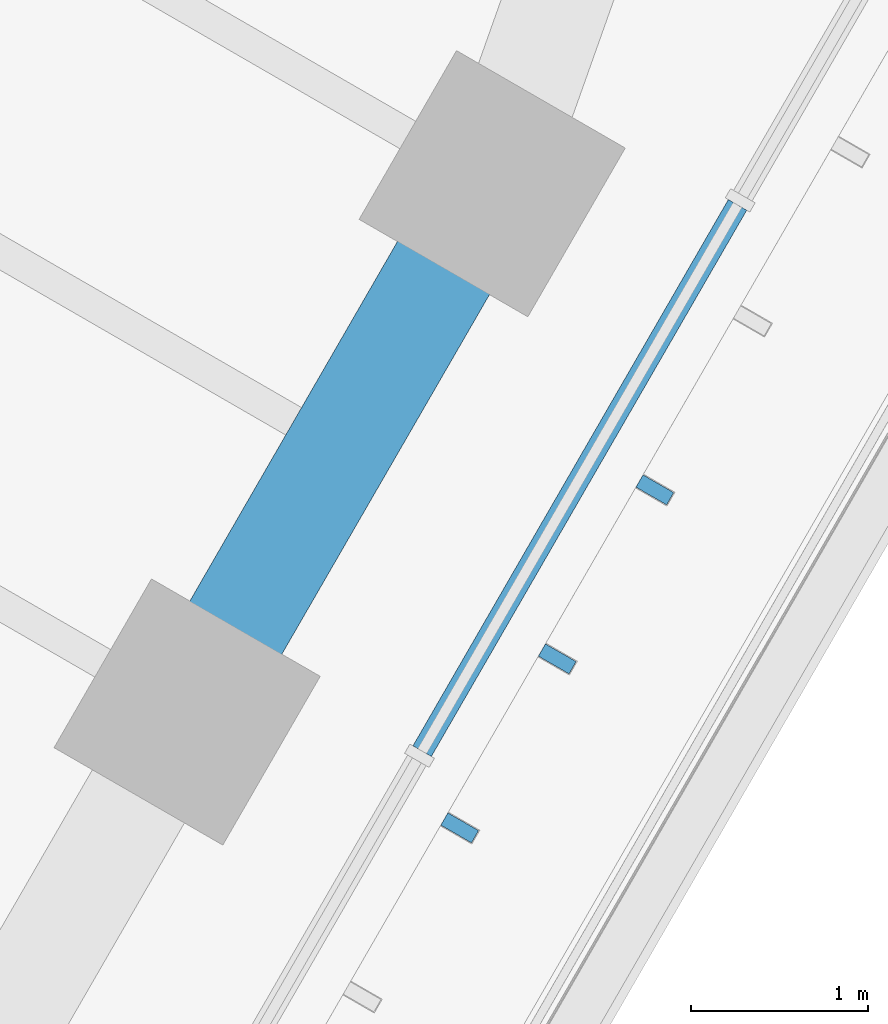
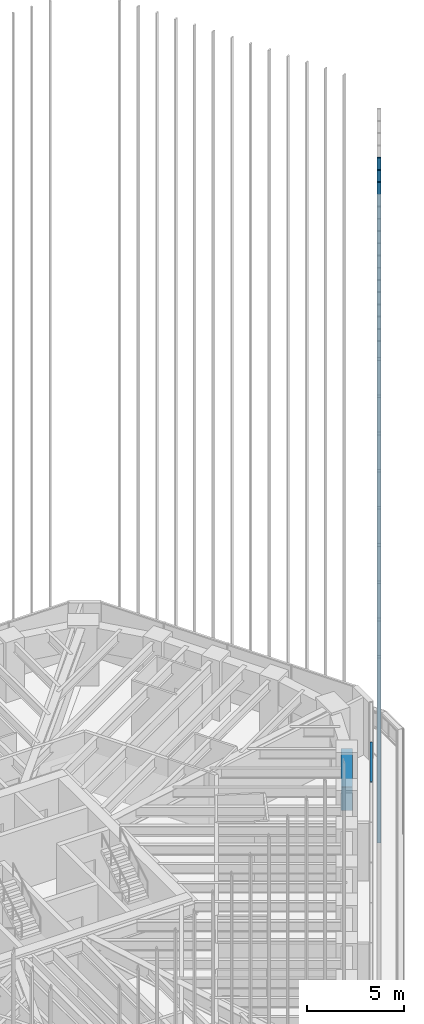
# One storey, part 51 of 127: 4 members, 1 beam, 1 element without a shape of its own.
"""IFC4 building model written with IfcOpenShell, lengths in metres."""

from ifc_helpers import new_model, si_unit, direction, frame, origin, origin_2d, place, context, subcontext, project, spatial, rectangle, extrude, material, material_profile, profile_set, type_object, element, aggregate, save


model = new_model("IFC4")

# Units and contexts
model_context = context("Model", 3, precision=1e-05, world=origin(), true_north=direction((0.0, 1.0)))
body_context = subcontext(model_context, "Body", "Model", "MODEL_VIEW")
ifc_project = project(units=[si_unit("LENGTHUNIT", "METRE"), si_unit("AREAUNIT", "SQUARE_METRE"), si_unit("VOLUMEUNIT", "CUBIC_METRE"), si_unit("PLANEANGLEUNIT", "RADIAN"), si_unit("MASSUNIT", "GRAM", prefix="KILO")], contexts=[model_context])

# Site, building, storey
site_placement = place(None, origin())
site = spatial("IfcSite", under=ifc_project, at=site_placement, CompositionType="ELEMENT")
building_placement = place(site_placement, origin())
building = spatial("IfcBuilding", under=site, at=building_placement, Name="Sandreach Pilgrim Tower", CompositionType="ELEMENT")
storey_placement = place(building_placement, frame((0.0, 0.0, 257.0)))
storey = spatial("IfcBuildingStorey", under=building, at=storey_placement, Name="L64", CompositionType="ELEMENT", Elevation=257.0)

# Curtain wall, member
ifc_material_1 = material(Name="Aluminium framed curtain wall", Category="aluminium")
curtain_wall_type = type_object("IfcCurtainWallType", Name="Suite tower curtain wall", PredefinedType="NOTDEFINED", material=ifc_material_1)
curtain_wall_placement = place(storey_placement, origin())
curtain_wall = element("IfcCurtainWall", 1, at=curtain_wall_placement, inside=storey, type_object=curtain_wall_type, Name="CW-4 L64 SE", PredefinedType="NOTDEFINED")
ifc_material_2 = material(Name="Aluminium extrusion", Category="aluminium")
ifc_material_profile_1 = material_profile(ifc_material_2, rectangle(XDim=0.1201171875, YDim=0.070068359375, at=origin_2d()), Name="CW-4T 120X70")
ifc_profile_set_1 = profile_set([ifc_material_profile_1], Name="Aluminium extrusion")
member_type_1 = type_object("IfcMemberType", Name="CW-4 transom", PredefinedType="USERDEFINED", material=ifc_profile_set_1)
member_1_placement = place(storey_placement, frame((23.493408203125, 1.0390625, 3.60498046875), z_axis=(-0.500009219579, -0.866020080793, 0.0), x_axis=(0.866020080793, -0.500009219579, 0.0)))
member_1 = element("IfcMember", 2, at=member_1_placement, type_object=member_type_1, Name="CW-4 head transom 2", ObjectType="TRANSOM", PredefinedType="USERDEFINED", context=body_context, shape_type="SweptSolid", body=[
    extrude(rectangle(XDim=0.1201171875, YDim=0.070068359375, at=origin_2d()), origin(), (0.0, 0.0, 1.0), 3.56201171875),
])

# Beam
ifc_material_3 = material(Name="Concrete 10000 psi", Category="concrete")
ifc_material_profile_2 = material_profile(ifc_material_3, rectangle(XDim=0.60009765625, YDim=1.5, at=origin_2d()), Name="RC600X1500")
ifc_profile_set_2 = profile_set([ifc_material_profile_2], Name="Concrete 10000 psi")
beam_type = type_object("IfcBeamType", Name="Spandrel beam RC600X1500", PredefinedType="SPANDREL", material=ifc_profile_set_2)
beam_placement = place(storey_placement, frame((22.10791015625, 1.158935546875, 2.889892578125), z_axis=(-0.500041441558, -0.866001476168, 0.0), x_axis=(0.866001476168, -0.500041441558, 0.0)))
element("IfcBeam", 3, at=beam_placement, inside=storey, type_object=beam_type, Name="BM L64 SP14", PredefinedType="SPANDREL", context=body_context, shape_type="SweptSolid", body=[
    extrude(rectangle(XDim=0.60009765625, YDim=1.5, at=origin_2d()), origin(), (0.0, 0.0, 1.0), 3.445068359375),
])

# Member
ifc_material_4 = material(Name="Extruded terracotta on aluminium core", Category="masonry")
ifc_material_profile_3 = material_profile(ifc_material_4, rectangle(XDim=0.080078125, YDim=0.199951171875, at=origin_2d()), Name="TBE 80X200")
ifc_profile_set_3 = profile_set([ifc_material_profile_3], Name="Extruded terracotta on aluminium core")
member_type_2 = type_object("IfcMemberType", Name="Terracotta baguette east", PredefinedType="USERDEFINED", material=ifc_profile_set_3)
member_2_placement = place(storey_placement, frame((23.0263671875, -0.570068359375, 0.0), z_axis=(0.0, 0.0, 1.0), x_axis=(-0.5, -0.866025403784, 0.0)))
member_2 = element("IfcMember", 4, at=member_2_placement, type_object=member_type_2, Name="Baguette Z4 SE05", ObjectType="BAGUETTE", PredefinedType="USERDEFINED", context=body_context, shape_type="SweptSolid", body=[
    extrude(rectangle(XDim=0.080078125, YDim=0.199951171875, at=origin_2d()), origin(), (0.0, 0.0, 1.0), 41.639892578125),
])

member_3_placement = place(storey_placement, frame((22.475341796875, -1.5244140625, 0.0), z_axis=(0.0, 0.0, 1.0), x_axis=(-0.5, -0.866025403784, 0.0)))
member_3 = element("IfcMember", 5, at=member_3_placement, type_object=member_type_2, Name="Baguette Z4 SE06", ObjectType="BAGUETTE", PredefinedType="USERDEFINED", context=body_context, shape_type="SweptSolid", body=[
    extrude(rectangle(XDim=0.080078125, YDim=0.199951171875, at=origin_2d()), origin(), (0.0, 0.0, 1.0), 41.639892578125),
])

member_4_placement = place(storey_placement, frame((21.92431640625, -2.478759765625, 0.0), z_axis=(0.0, 0.0, 1.0), x_axis=(-0.5, -0.866025403784, 0.0)))
member_4 = element("IfcMember", 6, at=member_4_placement, type_object=member_type_2, Name="Baguette Z4 SE07", ObjectType="BAGUETTE", PredefinedType="USERDEFINED", context=body_context, shape_type="SweptSolid", body=[
    extrude(rectangle(XDim=0.080078125, YDim=0.199951171875, at=origin_2d()), origin(), (0.0, 0.0, 1.0), 41.639892578125),
])

aggregate(curtain_wall, [member_1, member_2, member_3, member_4])

save(model, "model.ifc")
